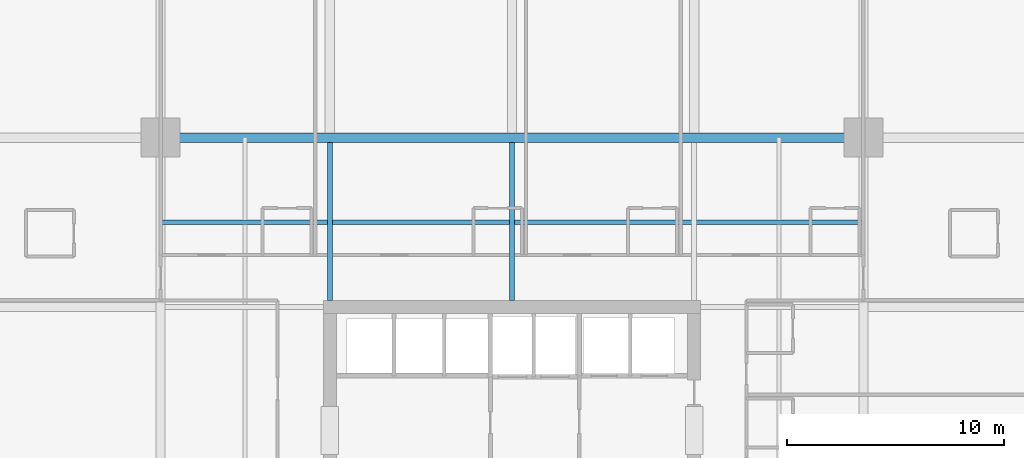
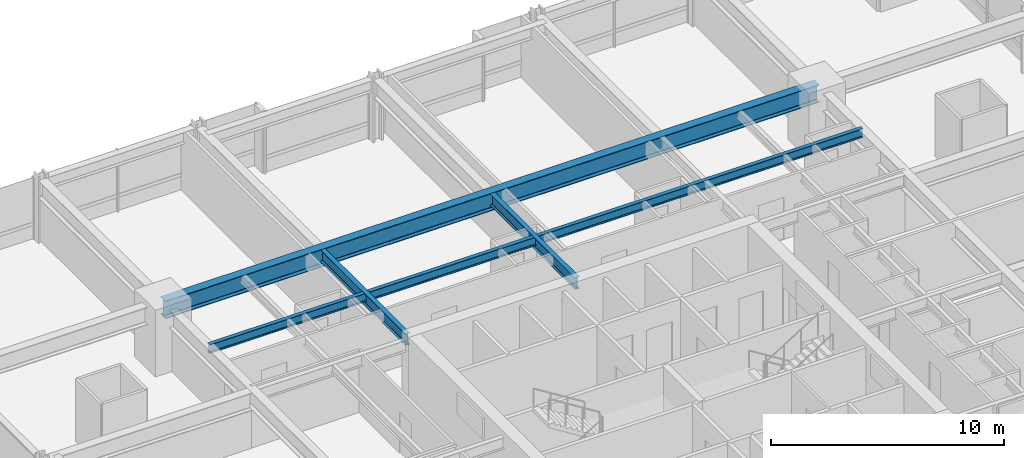
# One storey, part 20 of 37: 4 beams.
"""IFC4 building model written with IfcOpenShell, lengths in metres."""

from ifc_helpers import new_model, si_unit, direction, frame, origin, origin_2d, place, context, subcontext, project, spatial, i_section, extrude, material, material_profile, profile_set, type_object, element, save


model = new_model("IFC4")

# Units and contexts
model_context = context("Model", 3, precision=1e-05, world=origin(), true_north=direction((0.0, 1.0)))
body_context = subcontext(model_context, "Body", "Model", "MODEL_VIEW")
ifc_project = project(units=[si_unit("LENGTHUNIT", "METRE"), si_unit("AREAUNIT", "SQUARE_METRE"), si_unit("VOLUMEUNIT", "CUBIC_METRE"), si_unit("PLANEANGLEUNIT", "RADIAN"), si_unit("MASSUNIT", "GRAM", prefix="KILO")], contexts=[model_context])

# Site, building, storey
site_placement = place(None, origin())
site = spatial("IfcSite", under=ifc_project, at=site_placement, CompositionType="ELEMENT")
building_placement = place(site_placement, origin())
building = spatial("IfcBuilding", under=site, at=building_placement, Name="Drelvath Grand Hotel", CompositionType="ELEMENT")
storey_placement = place(building_placement, frame((0.0, 0.0, 43.699951171875)))
storey = spatial("IfcBuildingStorey", under=building, at=storey_placement, Name="L09", CompositionType="ELEMENT", Elevation=43.699951171875)

# Beams
ifc_material = material(Name="Steel ASTM A992 Gr 50", Category="steel")
ifc_material_profile_1 = material_profile(ifc_material, i_section(OverallWidth=0.19140625, OverallDepth=0.4599609375, WebThickness=0.010009765625, FlangeThickness=0.01611328125, FilletRadius=0.01611328125, at=origin_2d()), Name="W18X55")
ifc_profile_set_1 = profile_set([ifc_material_profile_1], Name="Steel ASTM A992 Gr 50")
beam_type_1 = type_object("IfcBeamType", Name="Composite Floor Joist W18X55", PredefinedType="JOIST", material=ifc_profile_set_1)
beam_1_placement = place(storey_placement, frame((-16.199951171875, 39.300048828125, 3.010009765625), z_axis=(1.0, 0.0, 0.0), x_axis=(0.0, 1.0, 0.0)))
element("IfcBeam", 1, at=beam_1_placement, inside=storey, type_object=beam_type_1, Name="L09 Floor Joist J2", PredefinedType="JOIST", context=body_context, shape_type="SweptSolid", body=[
    extrude(i_section(OverallWidth=0.19140625, OverallDepth=0.4599609375, WebThickness=0.010009765625, FlangeThickness=0.01611328125, FilletRadius=0.01611328125, at=origin_2d()), origin(), (0.0, 0.0, 1.0), 32.39990234375),
])
ifc_material_profile_2 = material_profile(ifc_material, i_section(OverallWidth=0.228271484375, OverallDepth=0.607666015625, WebThickness=0.01123046875, FlangeThickness=0.017333984375, FilletRadius=0.02001953125, at=origin_2d()), Name="W24X76")
ifc_profile_set_2 = profile_set([ifc_material_profile_2], Name="Steel ASTM A992 Gr 50")
beam_type_2 = type_object("IfcBeamType", Name="Primary Floor Girder W24X76", PredefinedType="BEAM", material=ifc_profile_set_2)
for number, where, z_axis, x_axis, name in (
    (2, (-8.39990234375, 35.699951171875, 2.936279296875), (0.0, 1.0, 0.0), (-1.0, 0.0, 0.0), "L09 North Core Tie 4"),
    (3, (0.0, 35.699951171875, 2.936279296875), (0.0, 1.0, 0.0), (-1.0, 0.0, 0.0), "L09 North Core Tie 5"),
):
    element("IfcBeam", number, at=place(storey_placement, frame(where, z_axis=z_axis, x_axis=x_axis)), inside=storey, type_object=beam_type_2, Name=name, PredefinedType="BEAM", context=body_context, shape_type="SweptSolid", body=[
        extrude(i_section(OverallWidth=0.228271484375, OverallDepth=0.607666015625, WebThickness=0.01123046875, FlangeThickness=0.017333984375, FilletRadius=0.02001953125, at=origin_2d()), origin(), (0.0, 0.0, 1.0), 7.290771484375),
    ])
ifc_material_profile_3 = material_profile(ifc_material, i_section(OverallWidth=0.418212890625, OverallDepth=0.926513671875, WebThickness=0.019287109375, FlangeThickness=0.031982421875, FilletRadius=0.028076171875, at=origin_2d()), Name="W36X231")
ifc_profile_set_3 = profile_set([ifc_material_profile_3], Name="Steel ASTM A992 Gr 50")
beam_type_3 = type_object("IfcBeamType", Name="Primary Floor Girder W36X231", PredefinedType="BEAM", material=ifc_profile_set_3)
beam_2_placement = place(storey_placement, frame((-16.199951171875, 43.199951171875, 2.77685546875), z_axis=(1.0, 0.0, 0.0), x_axis=(0.0, 1.0, 0.0)))
element("IfcBeam", 4, at=beam_2_placement, inside=storey, type_object=beam_type_3, Name="L09 Mega Ring Girder North", PredefinedType="BEAM", context=body_context, shape_type="SweptSolid", body=[
    extrude(i_section(OverallWidth=0.418212890625, OverallDepth=0.926513671875, WebThickness=0.019287109375, FlangeThickness=0.031982421875, FilletRadius=0.028076171875, at=origin_2d()), origin(), (0.0, 0.0, 1.0), 32.39990234375),
])

save(model, "model.ifc")
